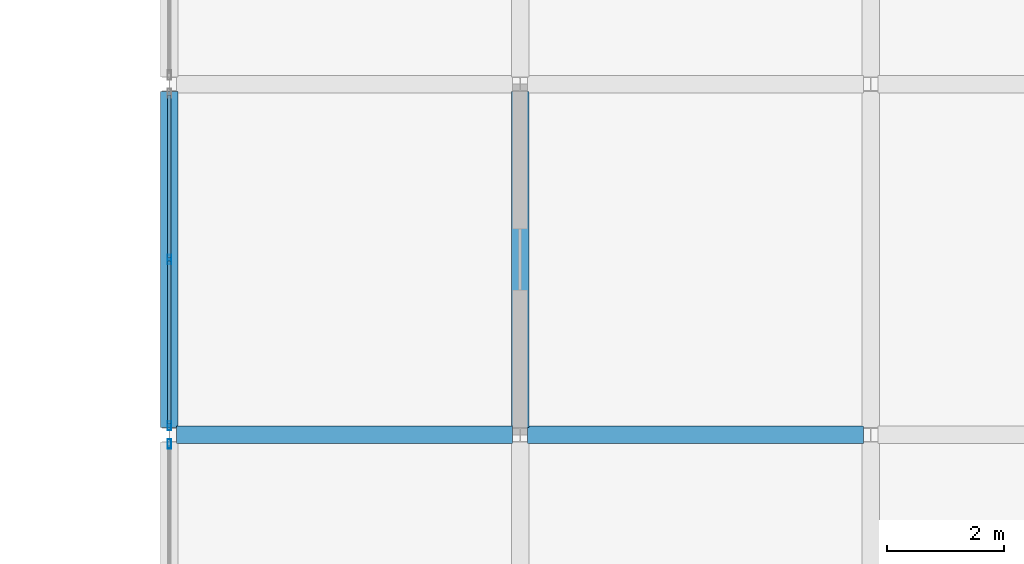
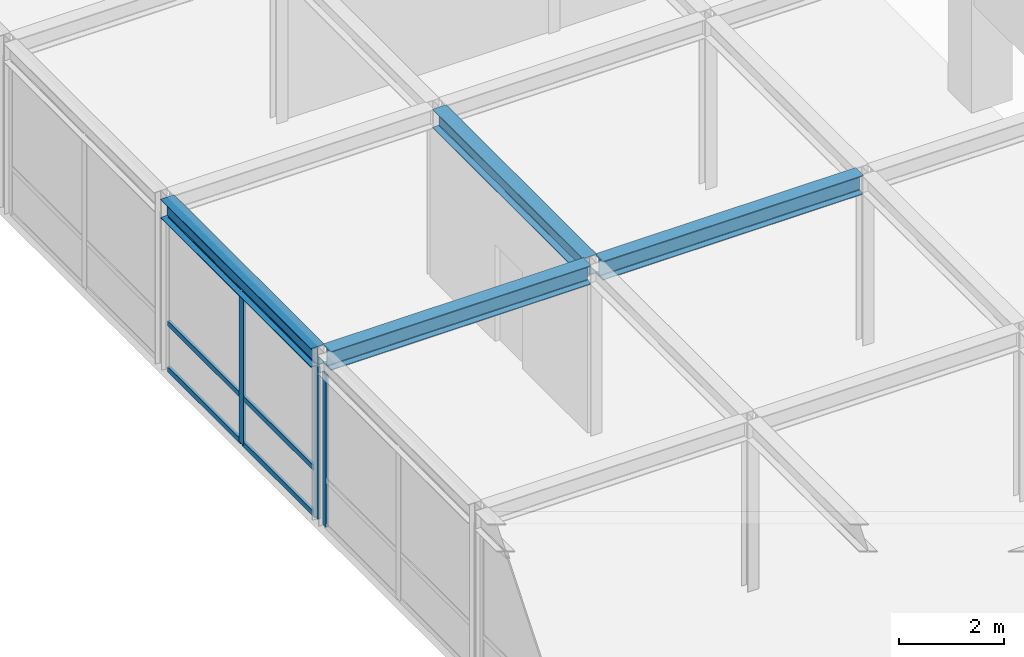
# One storey, part 49 of 111: 9 members, 4 beams, 2 elements without a shape of their own.
"""IFC4 building model written with IfcOpenShell, lengths in metres."""

from ifc_helpers import new_model, si_unit, direction, frame, origin, origin_2d, place, context, subcontext, project, spatial, hollow_rectangle, i_section, extrude, material, layer, layer_set, material_profile, profile_set, type_object, element, aggregate, save


model = new_model("IFC4")

# Units and contexts
model_context = context("Model", 3, precision=1e-05, world=origin(), true_north=direction((0.0, 1.0)))
body_context = subcontext(model_context, "Body", "Model", "MODEL_VIEW")
ifc_project = project(units=[si_unit("LENGTHUNIT", "METRE"), si_unit("AREAUNIT", "SQUARE_METRE"), si_unit("VOLUMEUNIT", "CUBIC_METRE"), si_unit("PLANEANGLEUNIT", "RADIAN"), si_unit("MASSUNIT", "GRAM", prefix="KILO")], contexts=[model_context])

# Site, building, storey
site_placement = place(None, origin())
site = spatial("IfcSite", under=ifc_project, at=site_placement, CompositionType="ELEMENT")
building_placement = place(site_placement, origin())
building = spatial("IfcBuilding", under=site, at=building_placement, Name="Zlatovratsky Civic Hall", CompositionType="ELEMENT")
storey_placement = place(building_placement, frame((0.0, 0.0, 16.5)))
storey = spatial("IfcBuildingStorey", under=building, at=storey_placement, Name="L04", CompositionType="ELEMENT", Elevation=16.5)

# Beams
ifc_material_1 = material(Name="Steel S355", Category="steel")
ifc_material_profile_1 = material_profile(ifc_material_1, i_section(OverallWidth=0.300048828125, OverallDepth=0.43994140625, WebThickness=0.010986328125, FlangeThickness=0.01806640625, FilletRadius=0.02197265625, at=origin_2d()), Name="45Sh1")
ifc_profile_set_1 = profile_set([ifc_material_profile_1], Name="Steel S355")
beam_type = type_object("IfcBeamType", Name="Beam_TowerLow_45Sh1", PredefinedType="BEAM", material=ifc_profile_set_1)
for number, where, z_axis, x_axis, name in (
    (1, (48.125, 42.0, 3.780029296875), (1.0, 0.0, 0.0), (0.0, 1.0, 0.0), "BM-3292"),
    (2, (54.125, 42.0, 3.780029296875), (1.0, 0.0, 0.0), (0.0, 1.0, 0.0), "BM-3293"),
    (3, (48.0, 42.125, 3.780029296875), (0.0, 1.0, 0.0), (-1.0, 0.0, 0.0), "BM-3590"),
    (4, (54.0, 42.125, 3.780029296875), (0.0, 1.0, 0.0), (-1.0, 0.0, 0.0), "BM-3607"),
):
    element("IfcBeam", number, at=place(storey_placement, frame(where, z_axis=z_axis, x_axis=x_axis)), inside=storey, type_object=beam_type, Name=name, PredefinedType="BEAM", context=body_context, shape_type="SweptSolid", body=[
        extrude(i_section(OverallWidth=0.300048828125, OverallDepth=0.43994140625, WebThickness=0.010986328125, FlangeThickness=0.01806640625, FilletRadius=0.02197265625, at=origin_2d()), origin(), (0.0, 0.0, 1.0), 5.75),
    ])

# Curtain wall, member
ifc_material_2 = material(Name="Anodised bronze aluminium", Category="aluminium")
ifc_layer = layer(ifc_material_2, 0.159912109375)
ifc_layer_set = layer_set([ifc_layer], Name="Anodised bronze aluminium")
curtain_wall_type = type_object("IfcCurtainWallType", Name="CurtainWall_Bronze_5750x3550_18", PredefinedType="NOTDEFINED", material=ifc_layer_set)
curtain_wall_1_placement = place(storey_placement, origin())
curtain_wall_1 = element("IfcCurtainWall", 5, at=curtain_wall_1_placement, inside=storey, type_object=curtain_wall_type, Name="CW-106", PredefinedType="NOTDEFINED")
ifc_material_profile_2 = material_profile(ifc_material_2, hollow_rectangle(XDim=0.06005859375, YDim=0.159912109375, WallThickness=0.00390625, at=origin_2d()), Name="ALU 60x160x4")
ifc_profile_set_2 = profile_set([ifc_material_profile_2], Name="Anodised bronze aluminium")
member_type_1 = type_object("IfcMemberType", Name="CW_Mullion_60x160", PredefinedType="MULLION", material=ifc_profile_set_2)
member_1_placement = place(storey_placement, frame((48.0, 41.844970703125, 0.0), z_axis=(0.0, 0.0, 1.0), x_axis=(-1.0, 0.0, 0.0)))
member_1 = element("IfcMember", 6, at=member_1_placement, type_object=member_type_1, Name="CW-18 mullion 3", PredefinedType="MULLION", context=body_context, shape_type="SweptSolid", body=[
    extrude(hollow_rectangle(XDim=0.06005859375, YDim=0.159912109375, WallThickness=0.00390625, at=origin_2d()), origin(), (0.0, 0.0, 1.0), 3.550048828125),
])
aggregate(curtain_wall_1, [member_1])

# Curtain wall, members
curtain_wall_2_placement = place(storey_placement, origin())
curtain_wall_2 = element("IfcCurtainWall", 7, at=curtain_wall_2_placement, inside=storey, type_object=curtain_wall_type, Name="CW-107", PredefinedType="NOTDEFINED")
member_2_placement = place(storey_placement, frame((48.0, 42.155029296875, 0.0), z_axis=(0.0, 0.0, 1.0), x_axis=(-1.0, 0.0, 0.0)))
member_2 = element("IfcMember", 8, at=member_2_placement, type_object=member_type_1, Name="CW-18 mullion 1", PredefinedType="MULLION", context=body_context, shape_type="SweptSolid", body=[
    extrude(hollow_rectangle(XDim=0.06005859375, YDim=0.159912109375, WallThickness=0.00390625, at=origin_2d()), origin(), (0.0, 0.0, 1.0), 3.550048828125),
])
member_3_placement = place(storey_placement, frame((48.0, 45.0, 0.0), z_axis=(0.0, 0.0, 1.0), x_axis=(-1.0, 0.0, 0.0)))
member_3 = element("IfcMember", 9, at=member_3_placement, type_object=member_type_1, Name="CW-18 mullion 2", PredefinedType="MULLION", context=body_context, shape_type="SweptSolid", body=[
    extrude(hollow_rectangle(XDim=0.06005859375, YDim=0.159912109375, WallThickness=0.00390625, at=origin_2d()), origin(), (0.0, 0.0, 1.0), 3.550048828125),
])
ifc_material_profile_3 = material_profile(ifc_material_2, hollow_rectangle(XDim=0.06005859375, YDim=0.1201171875, WallThickness=0.00390625, at=origin_2d()), Name="ALU 60x120x4")
ifc_profile_set_3 = profile_set([ifc_material_profile_3], Name="Anodised bronze aluminium")
member_type_2 = type_object("IfcMemberType", Name="CW_Transom_60x120", PredefinedType="USERDEFINED", material=ifc_profile_set_3)
member_4_placement = place(storey_placement, frame((48.0, 42.18505859375, 0.030029296875), z_axis=(0.0, 1.0, 0.0), x_axis=(-1.0, 0.0, 0.0)))
member_4 = element("IfcMember", 10, at=member_4_placement, type_object=member_type_2, Name="CW-18 transom 1.1", ObjectType="TRANSOM", PredefinedType="USERDEFINED", context=body_context, shape_type="SweptSolid", body=[
    extrude(hollow_rectangle(XDim=0.06005859375, YDim=0.1201171875, WallThickness=0.00390625, at=origin_2d()), origin(), (0.0, 0.0, 1.0), 2.784912109375),
])
member_5_placement = place(storey_placement, frame((48.0, 42.18505859375, 1.10009765625), z_axis=(0.0, 1.0, 0.0), x_axis=(-1.0, 0.0, 0.0)))
member_5 = element("IfcMember", 11, at=member_5_placement, type_object=member_type_2, Name="CW-18 transom 1.2", ObjectType="TRANSOM", PredefinedType="USERDEFINED", context=body_context, shape_type="SweptSolid", body=[
    extrude(hollow_rectangle(XDim=0.06005859375, YDim=0.1201171875, WallThickness=0.00390625, at=origin_2d()), origin(), (0.0, 0.0, 1.0), 2.784912109375),
])
member_6_placement = place(storey_placement, frame((48.0, 42.18505859375, 3.52001953125), z_axis=(0.0, 1.0, 0.0), x_axis=(-1.0, 0.0, 0.0)))
member_6 = element("IfcMember", 12, at=member_6_placement, type_object=member_type_2, Name="CW-18 transom 1.3", ObjectType="TRANSOM", PredefinedType="USERDEFINED", context=body_context, shape_type="SweptSolid", body=[
    extrude(hollow_rectangle(XDim=0.06005859375, YDim=0.1201171875, WallThickness=0.00390625, at=origin_2d()), origin(), (0.0, 0.0, 1.0), 2.784912109375),
])
member_7_placement = place(storey_placement, frame((48.0, 45.030029296875, 0.030029296875), z_axis=(0.0, 1.0, 0.0), x_axis=(-1.0, 0.0, 0.0)))
member_7 = element("IfcMember", 13, at=member_7_placement, type_object=member_type_2, Name="CW-18 transom 2.1", ObjectType="TRANSOM", PredefinedType="USERDEFINED", context=body_context, shape_type="SweptSolid", body=[
    extrude(hollow_rectangle(XDim=0.06005859375, YDim=0.1201171875, WallThickness=0.00390625, at=origin_2d()), origin(), (0.0, 0.0, 1.0), 2.784912109375),
])
member_8_placement = place(storey_placement, frame((48.0, 45.030029296875, 1.10009765625), z_axis=(0.0, 1.0, 0.0), x_axis=(-1.0, 0.0, 0.0)))
member_8 = element("IfcMember", 14, at=member_8_placement, type_object=member_type_2, Name="CW-18 transom 2.2", ObjectType="TRANSOM", PredefinedType="USERDEFINED", context=body_context, shape_type="SweptSolid", body=[
    extrude(hollow_rectangle(XDim=0.06005859375, YDim=0.1201171875, WallThickness=0.00390625, at=origin_2d()), origin(), (0.0, 0.0, 1.0), 2.784912109375),
])
member_9_placement = place(storey_placement, frame((48.0, 45.030029296875, 3.52001953125), z_axis=(0.0, 1.0, 0.0), x_axis=(-1.0, 0.0, 0.0)))
member_9 = element("IfcMember", 15, at=member_9_placement, type_object=member_type_2, Name="CW-18 transom 2.3", ObjectType="TRANSOM", PredefinedType="USERDEFINED", context=body_context, shape_type="SweptSolid", body=[
    extrude(hollow_rectangle(XDim=0.06005859375, YDim=0.1201171875, WallThickness=0.00390625, at=origin_2d()), origin(), (0.0, 0.0, 1.0), 2.784912109375),
])
aggregate(curtain_wall_2, [member_2, member_3, member_4, member_5, member_6, member_7, member_8, member_9])

save(model, "model.ifc")
